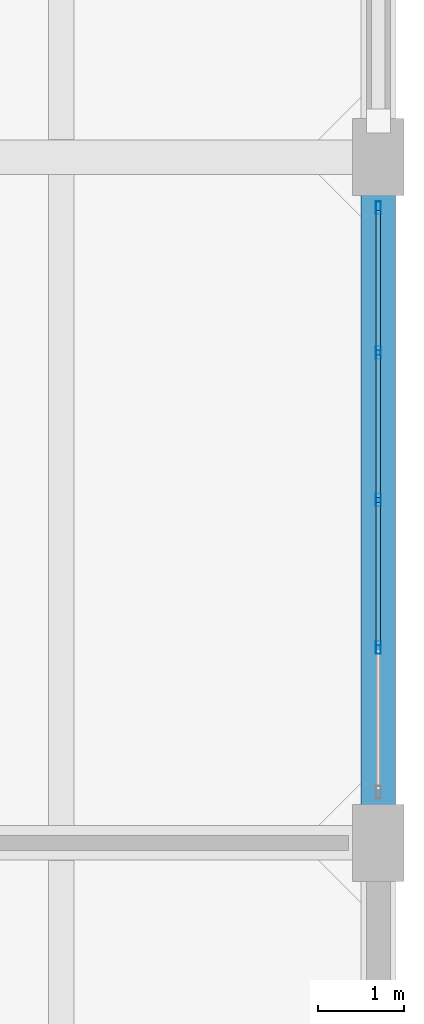
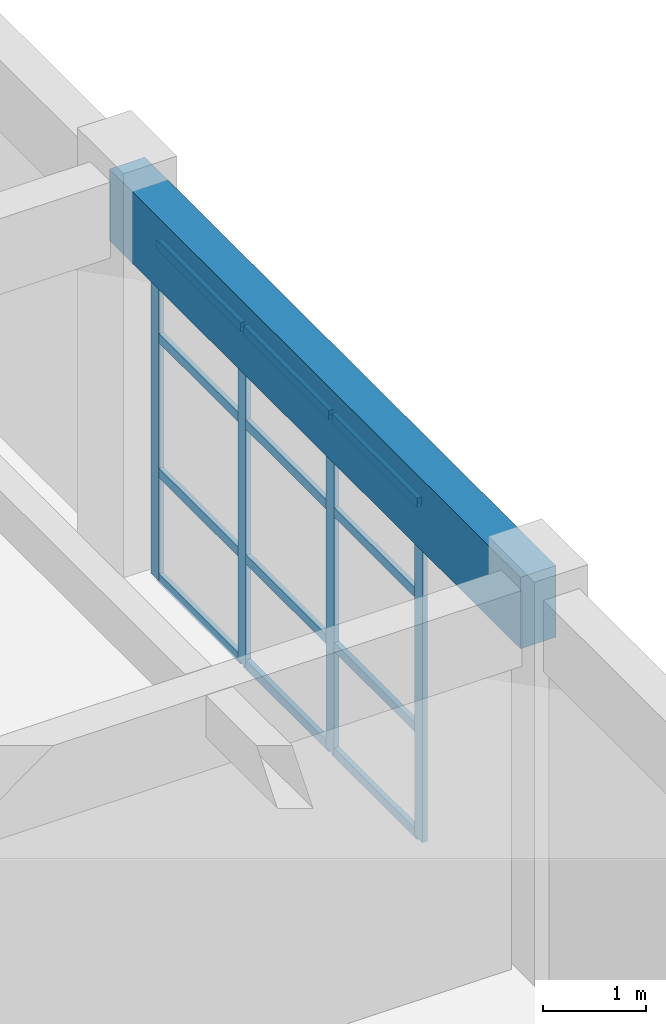
# One storey, part 30 of 63: 16 members, 1 beam, 1 element without a shape of its own.
"""IFC4 building model written with IfcOpenShell, lengths in metres."""

from ifc_helpers import new_model, si_unit, direction, frame, origin, origin_2d, place, context, subcontext, project, spatial, rectangle, hollow_rectangle, extrude, material, layer, layer_set, material_profile, profile_set, type_object, element, aggregate, save


model = new_model("IFC4")

# Units and contexts
model_context = context("Model", 3, precision=1e-05, world=origin(), true_north=direction((0.0, 1.0)))
body_context = subcontext(model_context, "Body", "Model", "MODEL_VIEW")
ifc_project = project(units=[si_unit("LENGTHUNIT", "METRE"), si_unit("AREAUNIT", "SQUARE_METRE"), si_unit("VOLUMEUNIT", "CUBIC_METRE"), si_unit("PLANEANGLEUNIT", "RADIAN"), si_unit("MASSUNIT", "GRAM", prefix="KILO")], contexts=[model_context])

# Site, building, storey
site_placement = place(None, origin())
site = spatial("IfcSite", under=ifc_project, at=site_placement, CompositionType="ELEMENT")
building_placement = place(site_placement, origin())
building = spatial("IfcBuilding", under=site, at=building_placement, Name="Canggui Botanical Conservatory", CompositionType="ELEMENT")
storey_placement = place(building_placement, frame((0.0, 0.0, 10.199951171875)))
storey = spatial("IfcBuildingStorey", under=building, at=storey_placement, Name="L03", CompositionType="ELEMENT", Elevation=10.199951171875)

# Beam
ifc_material_1 = material(Name="Concrete C35", Category="concrete")
ifc_material_profile_1 = material_profile(ifc_material_1, rectangle(XDim=0.39990234375, YDim=0.85009765625, at=origin_2d()), Name="RB 400x850")
ifc_profile_set_1 = profile_set([ifc_material_profile_1], Name="Concrete C35")
beam_type = type_object("IfcBeamType", Name="BM-KL08", PredefinedType="BEAM", material=ifc_profile_set_1)
beam_placement = place(storey_placement, frame((177.39990234375, 34.0, 4.125), z_axis=(0.0, 1.0, 0.0), x_axis=(-1.0, 0.0, 0.0)))
element("IfcBeam", 1, at=beam_placement, inside=storey, type_object=beam_type, Name="Frame Girder L03 X178-2", PredefinedType="BEAM", context=body_context, shape_type="SweptSolid", body=[
    extrude(rectangle(XDim=0.39990234375, YDim=0.85009765625, at=origin_2d()), origin(), (0.0, 0.0, 1.0), 8.0),
])

# Curtain wall, members
ifc_material_2 = material(Name="Thermally Broken Aluminium", Category="aluminium")
ifc_layer = layer(ifc_material_2, 0.14990234375, Name="Thermally Broken Aluminium", Category="aluminium")
ifc_layer_set = layer_set([ifc_layer], Name="Thermally Broken Aluminium")
curtain_wall_type = type_object("IfcCurtainWallType", Name="CW-UNIT-C", PredefinedType="USERDEFINED", material=ifc_layer_set)
curtain_wall_placement = place(storey_placement, origin())
curtain_wall = element("IfcCurtainWall", 2, at=curtain_wall_placement, inside=storey, type_object=curtain_wall_type, Name="Facade Curtain Wall CW-TWR-L03-25", ObjectType="UNITISED CURTAIN WALL", PredefinedType="USERDEFINED")
ifc_material_profile_2 = material_profile(ifc_material_2, hollow_rectangle(XDim=0.06005859375, YDim=0.14990234375, WallThickness=0.00341796875, at=origin_2d()), Name="CWM 60x150x3.5")
ifc_profile_set_2 = profile_set([ifc_material_profile_2], Name="Thermally Broken Aluminium")
member_type_1 = type_object("IfcMemberType", Name="CWM-03", PredefinedType="MULLION", material=ifc_profile_set_2)
member_1_placement = place(storey_placement, frame((177.39990234375, 41.409912109375, 0.0), z_axis=(0.0, 0.0, 1.0), x_axis=(1.0, 0.0, 0.0)))
member_1 = element("IfcMember", 3, at=member_1_placement, type_object=member_type_1, Name="CW-03 mullion 1", PredefinedType="MULLION", context=body_context, shape_type="SweptSolid", body=[
    extrude(hollow_rectangle(XDim=0.06005859375, YDim=0.14990234375, WallThickness=0.00341796875, at=origin_2d()), origin(), (0.0, 0.0, 1.0), 4.0),
])
member_2_placement = place(storey_placement, frame((177.39990234375, 39.719970703125, 0.0), z_axis=(0.0, 0.0, 1.0), x_axis=(1.0, 0.0, 0.0)))
member_2 = element("IfcMember", 4, at=member_2_placement, type_object=member_type_1, Name="CW-03 mullion 2", PredefinedType="MULLION", context=body_context, shape_type="SweptSolid", body=[
    extrude(hollow_rectangle(XDim=0.06005859375, YDim=0.14990234375, WallThickness=0.00341796875, at=origin_2d()), origin(), (0.0, 0.0, 1.0), 4.0),
])
member_3_placement = place(storey_placement, frame((177.39990234375, 38.0, 0.0), z_axis=(0.0, 0.0, 1.0), x_axis=(1.0, 0.0, 0.0)))
member_3 = element("IfcMember", 5, at=member_3_placement, type_object=member_type_1, Name="CW-03 mullion 3", PredefinedType="MULLION", context=body_context, shape_type="SweptSolid", body=[
    extrude(hollow_rectangle(XDim=0.06005859375, YDim=0.14990234375, WallThickness=0.00341796875, at=origin_2d()), origin(), (0.0, 0.0, 1.0), 4.0),
])
member_4_placement = place(storey_placement, frame((177.39990234375, 36.280029296875, 0.0), z_axis=(0.0, 0.0, 1.0), x_axis=(1.0, 0.0, 0.0)))
member_4 = element("IfcMember", 6, at=member_4_placement, type_object=member_type_1, Name="CW-03 mullion 4", PredefinedType="MULLION", context=body_context, shape_type="SweptSolid", body=[
    extrude(hollow_rectangle(XDim=0.06005859375, YDim=0.14990234375, WallThickness=0.00341796875, at=origin_2d()), origin(), (0.0, 0.0, 1.0), 4.0),
])
ifc_material_profile_3 = material_profile(ifc_material_2, hollow_rectangle(XDim=0.054931640625, YDim=0.110107421875, WallThickness=0.0029296875, at=origin_2d()), Name="CWT 55x110x3")
ifc_profile_set_3 = profile_set([ifc_material_profile_3], Name="Thermally Broken Aluminium")
member_type_2 = type_object("IfcMemberType", Name="CWT-03", PredefinedType="USERDEFINED", material=ifc_profile_set_3)
member_5_placement = place(storey_placement, frame((177.39990234375, 41.3798828125, 0.027587890625), z_axis=(0.0, -1.0, 0.0), x_axis=(1.0, 0.0, 0.0)))
member_5 = element("IfcMember", 7, at=member_5_placement, type_object=member_type_2, Name="CW-03 transom 1.1", ObjectType="TRANSOM", PredefinedType="USERDEFINED", context=body_context, shape_type="SweptSolid", body=[
    extrude(hollow_rectangle(XDim=0.054931640625, YDim=0.110107421875, WallThickness=0.0029296875, at=origin_2d()), origin(), (0.0, 0.0, 1.0), 1.6298828125),
])
member_6_placement = place(storey_placement, frame((177.39990234375, 41.3798828125, 1.280029296875), z_axis=(0.0, -1.0, 0.0), x_axis=(1.0, 0.0, 0.0)))
member_6 = element("IfcMember", 8, at=member_6_placement, type_object=member_type_2, Name="CW-03 transom 1.2", ObjectType="TRANSOM", PredefinedType="USERDEFINED", context=body_context, shape_type="SweptSolid", body=[
    extrude(hollow_rectangle(XDim=0.054931640625, YDim=0.110107421875, WallThickness=0.0029296875, at=origin_2d()), origin(), (0.0, 0.0, 1.0), 1.6298828125),
])
member_7_placement = place(storey_placement, frame((177.39990234375, 41.3798828125, 2.880126953125), z_axis=(0.0, -1.0, 0.0), x_axis=(1.0, 0.0, 0.0)))
member_7 = element("IfcMember", 9, at=member_7_placement, type_object=member_type_2, Name="CW-03 transom 1.3", ObjectType="TRANSOM", PredefinedType="USERDEFINED", context=body_context, shape_type="SweptSolid", body=[
    extrude(hollow_rectangle(XDim=0.054931640625, YDim=0.110107421875, WallThickness=0.0029296875, at=origin_2d()), origin(), (0.0, 0.0, 1.0), 1.6298828125),
])
member_8_placement = place(storey_placement, frame((177.39990234375, 41.3798828125, 3.97265625), z_axis=(0.0, -1.0, 0.0), x_axis=(1.0, 0.0, 0.0)))
member_8 = element("IfcMember", 10, at=member_8_placement, type_object=member_type_2, Name="CW-03 transom 1.4", ObjectType="TRANSOM", PredefinedType="USERDEFINED", context=body_context, shape_type="SweptSolid", body=[
    extrude(hollow_rectangle(XDim=0.054931640625, YDim=0.110107421875, WallThickness=0.0029296875, at=origin_2d()), origin(), (0.0, 0.0, 1.0), 1.6298828125),
])
member_9_placement = place(storey_placement, frame((177.39990234375, 39.68994140625, 0.027587890625), z_axis=(0.0, -1.0, 0.0), x_axis=(1.0, 0.0, 0.0)))
member_9 = element("IfcMember", 11, at=member_9_placement, type_object=member_type_2, Name="CW-03 transom 2.1", ObjectType="TRANSOM", PredefinedType="USERDEFINED", context=body_context, shape_type="SweptSolid", body=[
    extrude(hollow_rectangle(XDim=0.054931640625, YDim=0.110107421875, WallThickness=0.0029296875, at=origin_2d()), origin(), (0.0, 0.0, 1.0), 1.659912109375),
])
member_10_placement = place(storey_placement, frame((177.39990234375, 39.68994140625, 1.280029296875), z_axis=(0.0, -1.0, 0.0), x_axis=(1.0, 0.0, 0.0)))
member_10 = element("IfcMember", 12, at=member_10_placement, type_object=member_type_2, Name="CW-03 transom 2.2", ObjectType="TRANSOM", PredefinedType="USERDEFINED", context=body_context, shape_type="SweptSolid", body=[
    extrude(hollow_rectangle(XDim=0.054931640625, YDim=0.110107421875, WallThickness=0.0029296875, at=origin_2d()), origin(), (0.0, 0.0, 1.0), 1.659912109375),
])
member_11_placement = place(storey_placement, frame((177.39990234375, 39.68994140625, 2.880126953125), z_axis=(0.0, -1.0, 0.0), x_axis=(1.0, 0.0, 0.0)))
member_11 = element("IfcMember", 13, at=member_11_placement, type_object=member_type_2, Name="CW-03 transom 2.3", ObjectType="TRANSOM", PredefinedType="USERDEFINED", context=body_context, shape_type="SweptSolid", body=[
    extrude(hollow_rectangle(XDim=0.054931640625, YDim=0.110107421875, WallThickness=0.0029296875, at=origin_2d()), origin(), (0.0, 0.0, 1.0), 1.659912109375),
])
member_12_placement = place(storey_placement, frame((177.39990234375, 39.68994140625, 3.97265625), z_axis=(0.0, -1.0, 0.0), x_axis=(1.0, 0.0, 0.0)))
member_12 = element("IfcMember", 14, at=member_12_placement, type_object=member_type_2, Name="CW-03 transom 2.4", ObjectType="TRANSOM", PredefinedType="USERDEFINED", context=body_context, shape_type="SweptSolid", body=[
    extrude(hollow_rectangle(XDim=0.054931640625, YDim=0.110107421875, WallThickness=0.0029296875, at=origin_2d()), origin(), (0.0, 0.0, 1.0), 1.659912109375),
])
member_13_placement = place(storey_placement, frame((177.39990234375, 37.969970703125, 0.027587890625), z_axis=(0.0, -1.0, 0.0), x_axis=(1.0, 0.0, 0.0)))
member_13 = element("IfcMember", 15, at=member_13_placement, type_object=member_type_2, Name="CW-03 transom 3.1", ObjectType="TRANSOM", PredefinedType="USERDEFINED", context=body_context, shape_type="SweptSolid", body=[
    extrude(hollow_rectangle(XDim=0.054931640625, YDim=0.110107421875, WallThickness=0.0029296875, at=origin_2d()), origin(), (0.0, 0.0, 1.0), 1.659912109375),
])
member_14_placement = place(storey_placement, frame((177.39990234375, 37.969970703125, 1.280029296875), z_axis=(0.0, -1.0, 0.0), x_axis=(1.0, 0.0, 0.0)))
member_14 = element("IfcMember", 16, at=member_14_placement, type_object=member_type_2, Name="CW-03 transom 3.2", ObjectType="TRANSOM", PredefinedType="USERDEFINED", context=body_context, shape_type="SweptSolid", body=[
    extrude(hollow_rectangle(XDim=0.054931640625, YDim=0.110107421875, WallThickness=0.0029296875, at=origin_2d()), origin(), (0.0, 0.0, 1.0), 1.659912109375),
])
member_15_placement = place(storey_placement, frame((177.39990234375, 37.969970703125, 2.880126953125), z_axis=(0.0, -1.0, 0.0), x_axis=(1.0, 0.0, 0.0)))
member_15 = element("IfcMember", 17, at=member_15_placement, type_object=member_type_2, Name="CW-03 transom 3.3", ObjectType="TRANSOM", PredefinedType="USERDEFINED", context=body_context, shape_type="SweptSolid", body=[
    extrude(hollow_rectangle(XDim=0.054931640625, YDim=0.110107421875, WallThickness=0.0029296875, at=origin_2d()), origin(), (0.0, 0.0, 1.0), 1.659912109375),
])
member_16_placement = place(storey_placement, frame((177.39990234375, 37.969970703125, 3.97265625), z_axis=(0.0, -1.0, 0.0), x_axis=(1.0, 0.0, 0.0)))
member_16 = element("IfcMember", 18, at=member_16_placement, type_object=member_type_2, Name="CW-03 transom 3.4", ObjectType="TRANSOM", PredefinedType="USERDEFINED", context=body_context, shape_type="SweptSolid", body=[
    extrude(hollow_rectangle(XDim=0.054931640625, YDim=0.110107421875, WallThickness=0.0029296875, at=origin_2d()), origin(), (0.0, 0.0, 1.0), 1.659912109375),
])
aggregate(curtain_wall, [member_1, member_2, member_3, member_4, member_5, member_6, member_7, member_8, member_9, member_10, member_11, member_12, member_13, member_14, member_15, member_16])

save(model, "model.ifc")
